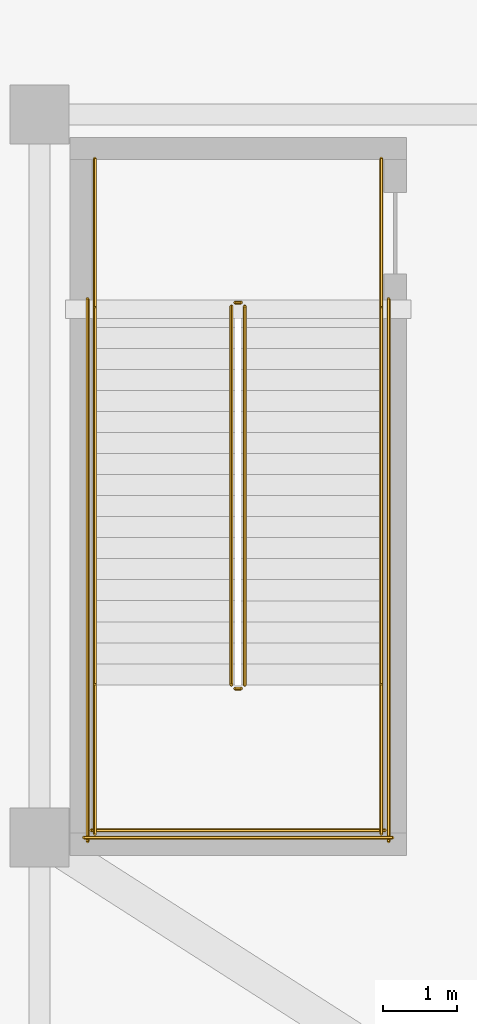
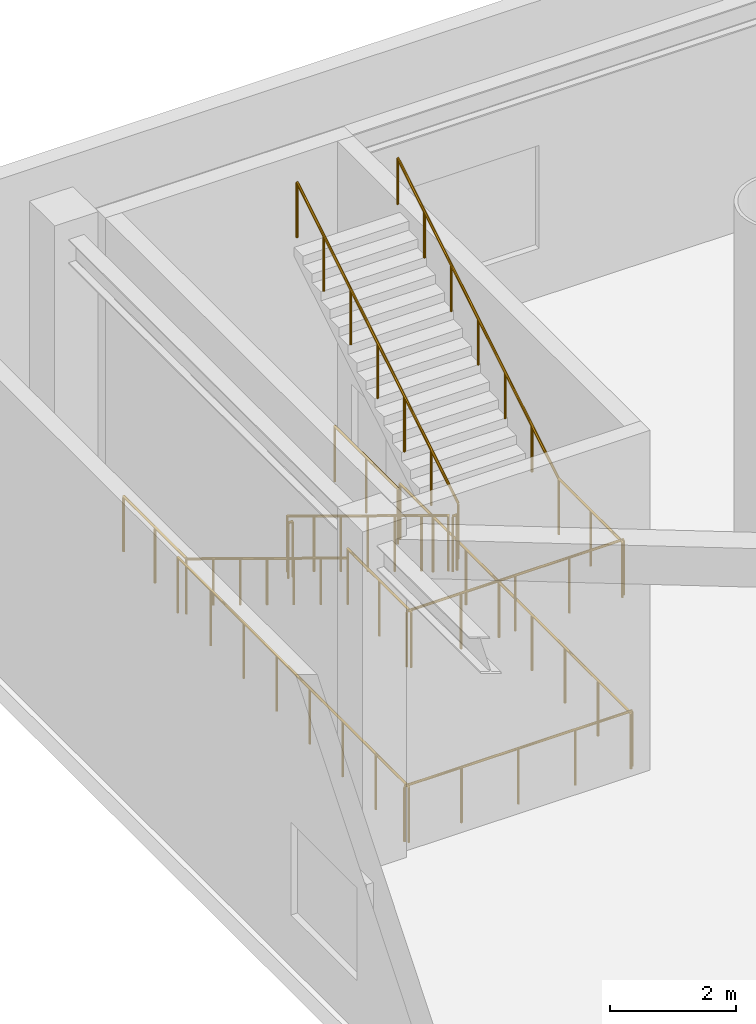
# One storey, part 14 of 16: 14 railings.
"""IFC4 building model written with IfcOpenShell, lengths in metres."""

from ifc_helpers import new_model, si_unit, direction, frame, origin, origin_2d, place, context, subcontext, project, spatial, circle, extrude, material, type_object, element, save


model = new_model("IFC4")

# Units and contexts
model_context = context("Model", 3, precision=1e-05, world=origin(), true_north=direction((0.0, 1.0)))
body_context = subcontext(model_context, "Body", "Model", "MODEL_VIEW")
ifc_project = project(units=[si_unit("LENGTHUNIT", "METRE"), si_unit("AREAUNIT", "SQUARE_METRE"), si_unit("VOLUMEUNIT", "CUBIC_METRE"), si_unit("PLANEANGLEUNIT", "RADIAN"), si_unit("MASSUNIT", "GRAM", prefix="KILO")], contexts=[model_context])

# Site, building, storey
site_placement = place(None, origin())
site = spatial("IfcSite", under=ifc_project, at=site_placement, CompositionType="ELEMENT")
building_placement = place(site_placement, origin())
building = spatial("IfcBuilding", under=site, at=building_placement, Name="Bramvorn Convention Spire", CompositionType="ELEMENT")
storey_placement = place(building_placement, frame((0.0, 0.0, 12.0)))
storey = spatial("IfcBuildingStorey", under=building, at=storey_placement, Name="L02", CompositionType="ELEMENT", Elevation=12.0)

# Railings
ifc_material_1 = material(Name="Painted Steel Balustrade & Guardrail", Category="steel")
railing_type_1 = type_object("IfcRailingType", Name="RL-STAIR-GUARD-1100", PredefinedType="GUARDRAIL", material=ifc_material_1)
railing_1_placement = place(storey_placement, frame((5.39990234375, 46.800048828125, 0.173583984375)))
element("IfcRailing", 1, at=railing_1_placement, inside=storey, type_object=railing_type_1, Name="L02 ST6 stair guard 1", PredefinedType="GUARDRAIL", context=body_context, shape_type="SweptSolid", body=[
    extrude(circle(Radius=0.02392578125, at=origin_2d()), frame((0.0, 0.0, 1.076171875), z_axis=(0.0, -0.853919069452, 0.520405825127), x_axis=(1.0, 0.0, 0.0)), (0.0, 0.0, 1.0), 6.0078125),
    extrude(circle(Radius=0.02099609375, at=origin_2d()), origin(), (0.0, 0.0, 1.0), 1.052001953125),
    extrude(circle(Radius=0.02099609375, at=origin_2d()), frame((0.0, -0.85498046875, 0.52099609375)), (0.0, 0.0, 1.0), 1.052001953125),
    extrude(circle(Radius=0.02099609375, at=origin_2d()), frame((0.0, -1.7099609375, 1.042236328125)), (0.0, 0.0, 1.0), 1.052001953125),
    extrude(circle(Radius=0.02099609375, at=origin_2d()), frame((0.0, -2.56494140625, 1.563232421875)), (0.0, 0.0, 1.0), 1.052001953125),
    extrude(circle(Radius=0.02099609375, at=origin_2d()), frame((0.0, -3.420166015625, 2.084228515625)), (0.0, 0.0, 1.0), 1.052001953125),
    extrude(circle(Radius=0.02099609375, at=origin_2d()), frame((0.0, -4.275146484375, 2.60546875)), (0.0, 0.0, 1.0), 1.052001953125),
    extrude(circle(Radius=0.02099609375, at=origin_2d()), frame((0.0, -5.130126953125, 3.12646484375)), (0.0, 0.0, 1.0), 1.052001953125),
])
railing_2_placement = place(storey_placement, frame((5.449951171875, 41.6201171875, 3.300048828125)))
element("IfcRailing", 2, at=railing_2_placement, inside=storey, type_object=railing_type_1, Name="L02 ST6 stair guard 2", PredefinedType="GUARDRAIL", context=body_context, shape_type="SweptSolid", body=[
    extrude(circle(Radius=0.02392578125, at=origin_2d()), frame((0.0, 0.0, 1.076171875), z_axis=(1.0, 0.0, 0.0), x_axis=(0.0, 1.0, 0.0)), (0.0, 0.0, 1.0), 0.080078125),
    extrude(circle(Radius=0.02099609375, at=origin_2d()), origin(), (0.0, 0.0, 1.0), 1.052001953125),
    extrude(circle(Radius=0.02099609375, at=origin_2d()), frame((0.080078125, 0.0, 0.0)), (0.0, 0.0, 1.0), 1.052001953125),
])
for number, where, name in (
    (3, (3.550048828125, 41.669921875, 3.300048828125), "L02 ST6 stair guard 3"),
    (4, (7.429931640625, 41.669921875, 3.300048828125), "L02 ST6 stair guard 4"),
):
    element("IfcRailing", number, at=place(storey_placement, frame(where)), inside=storey, type_object=railing_type_1, Name=name, PredefinedType="GUARDRAIL", context=body_context, shape_type="SweptSolid", body=[
        extrude(circle(Radius=0.02392578125, at=origin_2d()), frame((0.0, 0.0, 1.076171875), z_axis=(0.0, -1.0, 0.0), x_axis=(1.0, 0.0, 0.0)), (0.0, 0.0, 1.0), 2.02001953125),
        extrude(circle(Radius=0.02099609375, at=origin_2d()), origin(), (0.0, 0.0, 1.0), 1.052001953125),
        extrude(circle(Radius=0.02099609375, at=origin_2d()), frame((0.0, -1.010009765625, 0.0)), (0.0, 0.0, 1.0), 1.052001953125),
        extrude(circle(Radius=0.02099609375, at=origin_2d()), frame((0.0, -2.02001953125, 0.0)), (0.0, 0.0, 1.0), 1.052001953125),
    ])
railing_3_placement = place(storey_placement, frame((3.5, 39.699951171875, 3.300048828125)))
element("IfcRailing", 5, at=railing_3_placement, inside=storey, type_object=railing_type_1, Name="L02 ST6 stair guard 5", PredefinedType="GUARDRAIL", context=body_context, shape_type="SweptSolid", body=[
    extrude(circle(Radius=0.02392578125, at=origin_2d()), frame((0.0, 0.0, 1.076171875), z_axis=(1.0, 0.0, 0.0), x_axis=(0.0, 1.0, 0.0)), (0.0, 0.0, 1.0), 3.97998046875),
    extrude(circle(Radius=0.02099609375, at=origin_2d()), origin(), (0.0, 0.0, 1.0), 1.052001953125),
    extrude(circle(Radius=0.02099609375, at=origin_2d()), frame((0.9951171875, 0.0, 0.0)), (0.0, 0.0, 1.0), 1.052001953125),
    extrude(circle(Radius=0.02099609375, at=origin_2d()), frame((1.989990234375, 0.0, 0.0)), (0.0, 0.0, 1.0), 1.052001953125),
    extrude(circle(Radius=0.02099609375, at=origin_2d()), frame((2.98486328125, 0.0, 0.0)), (0.0, 0.0, 1.0), 1.052001953125),
    extrude(circle(Radius=0.02099609375, at=origin_2d()), frame((3.97998046875, 0.0, 0.0)), (0.0, 0.0, 1.0), 1.052001953125),
])
railing_4_placement = place(storey_placement, frame((5.580078125, 41.669921875, 3.4736328125)))
element("IfcRailing", 6, at=railing_4_placement, inside=storey, type_object=railing_type_1, Name="L02 ST6 stair guard 6", PredefinedType="GUARDRAIL", context=body_context, shape_type="SweptSolid", body=[
    extrude(circle(Radius=0.02392578125, at=origin_2d()), frame((0.0, 0.0, 1.076171875), z_axis=(0.0, 0.853919069452, 0.520405825127), x_axis=(-1.0, 0.0, 0.0)), (0.0, 0.0, 1.0), 6.0078125),
    extrude(circle(Radius=0.02099609375, at=origin_2d()), origin(), (0.0, 0.0, 1.0), 1.052001953125),
    extrude(circle(Radius=0.02099609375, at=origin_2d()), frame((0.0, 0.85498046875, 0.52099609375)), (0.0, 0.0, 1.0), 1.052001953125),
    extrude(circle(Radius=0.02099609375, at=origin_2d()), frame((0.0, 1.7099609375, 1.042236328125)), (0.0, 0.0, 1.0), 1.052001953125),
    extrude(circle(Radius=0.02099609375, at=origin_2d()), frame((0.0, 2.56494140625, 1.563232421875)), (0.0, 0.0, 1.0), 1.052001953125),
    extrude(circle(Radius=0.02099609375, at=origin_2d()), frame((0.0, 3.420166015625, 2.084228515625)), (0.0, 0.0, 1.0), 1.052001953125),
    extrude(circle(Radius=0.02099609375, at=origin_2d()), frame((0.0, 4.275146484375, 2.60546875)), (0.0, 0.0, 1.0), 1.052001953125),
    extrude(circle(Radius=0.02099609375, at=origin_2d()), frame((0.0, 5.130126953125, 3.12646484375)), (0.0, 0.0, 1.0), 1.052001953125),
])
railing_5_placement = place(storey_placement, frame((5.449951171875, 46.85009765625, 0.0)))
element("IfcRailing", 7, at=railing_5_placement, inside=storey, type_object=railing_type_1, Name="L02 ST6 stair guard 7", PredefinedType="GUARDRAIL", context=body_context, shape_type="SweptSolid", body=[
    extrude(circle(Radius=0.02392578125, at=origin_2d()), frame((0.0, 0.0, 1.076171875), z_axis=(1.0, 0.0, 0.0), x_axis=(0.0, 1.0, 0.0)), (0.0, 0.0, 1.0), 0.080078125),
    extrude(circle(Radius=0.02099609375, at=origin_2d()), origin(), (0.0, 0.0, 1.0), 1.052001953125),
    extrude(circle(Radius=0.02099609375, at=origin_2d()), frame((0.080078125, 0.0, 0.0)), (0.0, 0.0, 1.0), 1.052001953125),
])
for number, where, name in (
    (8, (3.550048828125, 48.800048828125, 0.0), "L02 ST6 stair guard 8"),
    (9, (7.429931640625, 48.800048828125, 0.0), "L02 ST6 stair guard 9"),
):
    element("IfcRailing", number, at=place(storey_placement, frame(where)), inside=storey, type_object=railing_type_1, Name=name, PredefinedType="GUARDRAIL", context=body_context, shape_type="SweptSolid", body=[
        extrude(circle(Radius=0.02392578125, at=origin_2d()), frame((0.0, 0.0, 1.076171875), z_axis=(0.0, -1.0, 0.0), x_axis=(1.0, 0.0, 0.0)), (0.0, 0.0, 1.0), 2.0),
        extrude(circle(Radius=0.02099609375, at=origin_2d()), origin(), (0.0, 0.0, 1.0), 1.052001953125),
        extrude(circle(Radius=0.02099609375, at=origin_2d()), frame((0.0, -1.0, 0.0)), (0.0, 0.0, 1.0), 1.052001953125),
        extrude(circle(Radius=0.02099609375, at=origin_2d()), frame((0.0, -2.0, 0.0)), (0.0, 0.0, 1.0), 1.052001953125),
    ])
for number, where, name in (
    (10, (3.449951171875, 46.89990234375, 0.0), "L02 ST6 stair guard 10"),
    (11, (7.530029296875, 46.89990234375, 0.0), "L02 ST6 stair guard 11"),
):
    element("IfcRailing", number, at=place(storey_placement, frame(where)), inside=storey, type_object=railing_type_1, Name=name, PredefinedType="GUARDRAIL", context=body_context, shape_type="SweptSolid", body=[
        extrude(circle(Radius=0.02392578125, at=origin_2d()), frame((0.0, 0.0, 1.076171875), z_axis=(0.0, -1.0, 0.0), x_axis=(1.0, 0.0, 0.0)), (0.0, 0.0, 1.0), 7.349853515625),
        extrude(circle(Radius=0.02099609375, at=origin_2d()), origin(), (0.0, 0.0, 1.0), 1.052001953125),
        extrude(circle(Radius=0.02099609375, at=origin_2d()), frame((0.0, -1.050048828125, 0.0)), (0.0, 0.0, 1.0), 1.052001953125),
        extrude(circle(Radius=0.02099609375, at=origin_2d()), frame((0.0, -2.099853515625, 0.0)), (0.0, 0.0, 1.0), 1.052001953125),
        extrude(circle(Radius=0.02099609375, at=origin_2d()), frame((0.0, -3.14990234375, 0.0)), (0.0, 0.0, 1.0), 1.052001953125),
        extrude(circle(Radius=0.02099609375, at=origin_2d()), frame((0.0, -4.199951171875, 0.0)), (0.0, 0.0, 1.0), 1.052001953125),
        extrude(circle(Radius=0.02099609375, at=origin_2d()), frame((0.0, -5.25, 0.0)), (0.0, 0.0, 1.0), 1.052001953125),
        extrude(circle(Radius=0.02099609375, at=origin_2d()), frame((0.0, -6.2998046875, 0.0)), (0.0, 0.0, 1.0), 1.052001953125),
        extrude(circle(Radius=0.02099609375, at=origin_2d()), frame((0.0, -7.349853515625, 0.0)), (0.0, 0.0, 1.0), 1.052001953125),
    ])
railing_6_placement = place(storey_placement, frame((3.39990234375, 39.60009765625, 0.0)))
element("IfcRailing", 12, at=railing_6_placement, inside=storey, type_object=railing_type_1, Name="L02 ST6 stair guard 12", PredefinedType="GUARDRAIL", context=body_context, shape_type="SweptSolid", body=[
    extrude(circle(Radius=0.02392578125, at=origin_2d()), frame((0.0, 0.0, 1.076171875), z_axis=(1.0, 0.0, 0.0), x_axis=(0.0, 1.0, 0.0)), (0.0, 0.0, 1.0), 4.18017578125),
    extrude(circle(Radius=0.02099609375, at=origin_2d()), origin(), (0.0, 0.0, 1.0), 1.052001953125),
    extrude(circle(Radius=0.02099609375, at=origin_2d()), frame((1.044921875, 0.0, 0.0)), (0.0, 0.0, 1.0), 1.052001953125),
    extrude(circle(Radius=0.02099609375, at=origin_2d()), frame((2.090087890625, 0.0, 0.0)), (0.0, 0.0, 1.0), 1.052001953125),
    extrude(circle(Radius=0.02099609375, at=origin_2d()), frame((3.13525390625, 0.0, 0.0)), (0.0, 0.0, 1.0), 1.052001953125),
    extrude(circle(Radius=0.02099609375, at=origin_2d()), frame((4.18017578125, 0.0, 0.0)), (0.0, 0.0, 1.0), 1.052001953125),
])
ifc_material_2 = material(Name="Brushed Bronze Tubular Handrail", Category="aluminium")
railing_type_2 = type_object("IfcRailingType", Name="RL-STAIR-HR-920", PredefinedType="HANDRAIL", material=ifc_material_2)
railing_7_placement = place(storey_placement, frame((3.550048828125, 46.800048828125, 0.173583984375)))
element("IfcRailing", 13, at=railing_7_placement, inside=storey, type_object=railing_type_2, Name="L02 ST6 stair handrail 1", PredefinedType="HANDRAIL", context=body_context, shape_type="SweptSolid", body=[
    extrude(circle(Radius=0.02392578125, at=origin_2d()), frame((0.0, 0.0, 0.89599609375), z_axis=(0.0, -0.853919069452, 0.520405825127), x_axis=(1.0, 0.0, 0.0)), (0.0, 0.0, 1.0), 6.0078125),
    extrude(circle(Radius=0.02099609375, at=origin_2d()), origin(), (0.0, 0.0, 1.0), 0.871826171875),
    extrude(circle(Radius=0.02099609375, at=origin_2d()), frame((0.0, -0.85498046875, 0.52099609375)), (0.0, 0.0, 1.0), 0.871826171875),
    extrude(circle(Radius=0.02099609375, at=origin_2d()), frame((0.0, -1.7099609375, 1.042236328125)), (0.0, 0.0, 1.0), 0.871826171875),
    extrude(circle(Radius=0.02099609375, at=origin_2d()), frame((0.0, -2.56494140625, 1.563232421875)), (0.0, 0.0, 1.0), 0.871826171875),
    extrude(circle(Radius=0.02099609375, at=origin_2d()), frame((0.0, -3.420166015625, 2.084228515625)), (0.0, 0.0, 1.0), 0.871826171875),
    extrude(circle(Radius=0.02099609375, at=origin_2d()), frame((0.0, -4.275146484375, 2.60546875)), (0.0, 0.0, 1.0), 0.871826171875),
    extrude(circle(Radius=0.02099609375, at=origin_2d()), frame((0.0, -5.130126953125, 3.12646484375)), (0.0, 0.0, 1.0), 0.871826171875),
])
railing_8_placement = place(storey_placement, frame((7.429931640625, 41.669921875, 3.4736328125)))
element("IfcRailing", 14, at=railing_8_placement, inside=storey, type_object=railing_type_2, Name="L02 ST6 stair handrail 2", PredefinedType="HANDRAIL", context=body_context, shape_type="SweptSolid", body=[
    extrude(circle(Radius=0.02392578125, at=origin_2d()), frame((0.0, 0.0, 0.89599609375), z_axis=(0.0, 0.853919069452, 0.520405825127), x_axis=(-1.0, 0.0, 0.0)), (0.0, 0.0, 1.0), 6.0078125),
    extrude(circle(Radius=0.02099609375, at=origin_2d()), origin(), (0.0, 0.0, 1.0), 0.871826171875),
    extrude(circle(Radius=0.02099609375, at=origin_2d()), frame((0.0, 0.85498046875, 0.52099609375)), (0.0, 0.0, 1.0), 0.871826171875),
    extrude(circle(Radius=0.02099609375, at=origin_2d()), frame((0.0, 1.7099609375, 1.042236328125)), (0.0, 0.0, 1.0), 0.871826171875),
    extrude(circle(Radius=0.02099609375, at=origin_2d()), frame((0.0, 2.56494140625, 1.563232421875)), (0.0, 0.0, 1.0), 0.871826171875),
    extrude(circle(Radius=0.02099609375, at=origin_2d()), frame((0.0, 3.420166015625, 2.084228515625)), (0.0, 0.0, 1.0), 0.871826171875),
    extrude(circle(Radius=0.02099609375, at=origin_2d()), frame((0.0, 4.275146484375, 2.60546875)), (0.0, 0.0, 1.0), 0.871826171875),
    extrude(circle(Radius=0.02099609375, at=origin_2d()), frame((0.0, 5.130126953125, 3.12646484375)), (0.0, 0.0, 1.0), 0.871826171875),
])

save(model, "model.ifc")
